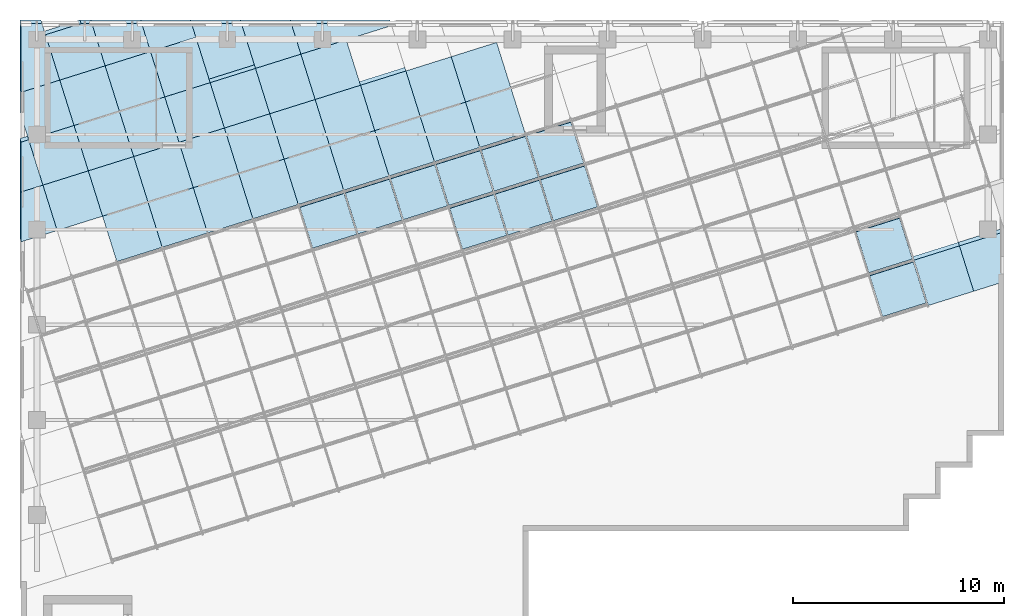
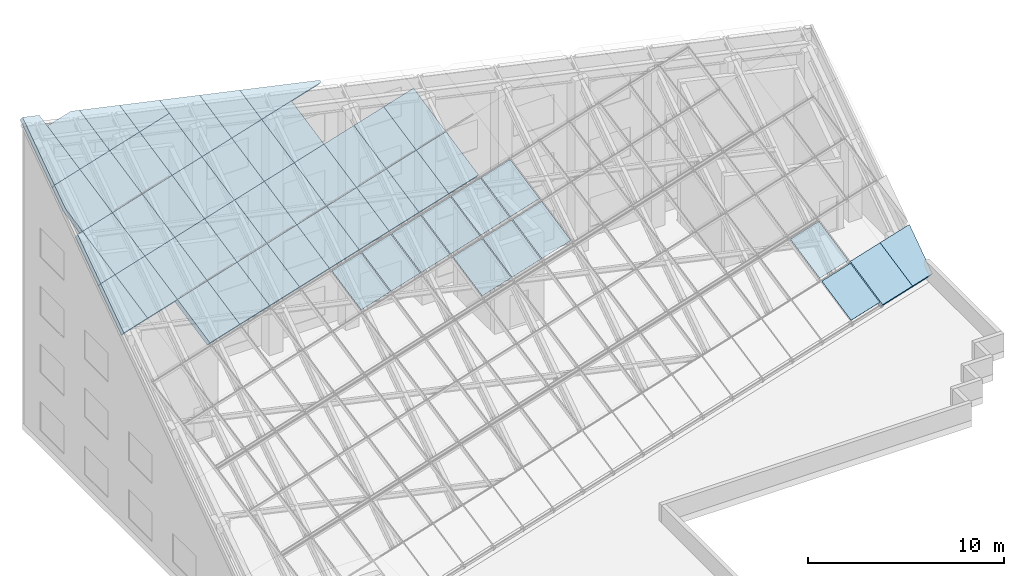
# One storey, part 8 of 14: 41 slabs, 11 plates, 2 elements without a shape of their own.
"""IFC4 building model written with IfcOpenShell, lengths in metres."""

from ifc_helpers import new_model, si_unit, direction, frame, origin, place, context, subcontext, project, spatial, polyline, outline, extrude, material, layer, layer_set, type_object, element, aggregate, save


model = new_model("IFC4")

# Units and contexts
model_context = context("Model", 3, precision=1e-05, world=origin(), true_north=direction((0.0, 1.0)))
body_context = subcontext(model_context, "Body", "Model", "MODEL_VIEW")
ifc_project = project(units=[si_unit("LENGTHUNIT", "METRE"), si_unit("AREAUNIT", "SQUARE_METRE"), si_unit("VOLUMEUNIT", "CUBIC_METRE"), si_unit("PLANEANGLEUNIT", "RADIAN"), si_unit("MASSUNIT", "GRAM", prefix="KILO")], contexts=[model_context])

# Site, building, storey
site_placement = place(None, origin())
site = spatial("IfcSite", under=ifc_project, at=site_placement, CompositionType="ELEMENT")
building_placement = place(site_placement, origin())
building = spatial("IfcBuilding", under=site, at=building_placement, Name="Firuza Court", CompositionType="ELEMENT")
storey_placement = place(building_placement, frame((0.0, 0.0, 266.199951171875)))
storey = spatial("IfcBuildingStorey", under=building, at=storey_placement, Name="L68 Crown", CompositionType="ELEMENT", Elevation=266.199951171875)

# Slabs
ifc_material_1 = material(Name="Ceramic tile", Category="ceramic")
ifc_layer_1 = layer(ifc_material_1, 0.02001953125)
ifc_material_2 = material(Name="Mineral wool insulation", Category="insulation")
ifc_layer_2 = layer(ifc_material_2, 0.159912109375)
ifc_material_3 = material(Name="Concrete C40/50 precast", Category="concrete")
ifc_layer_3 = layer(ifc_material_3, 0.1201171875)
ifc_layer_set_1 = layer_set([ifc_layer_1, ifc_layer_2, ifc_layer_3], Name="Concrete C40/50 precast")
slab_type = type_object("IfcSlabType", Name="Crown roof panel 300", PredefinedType="ROOF", material=ifc_layer_set_1)
slab_1_placement = place(storey_placement, frame((44.31640625, 46.585205078125, 0.400146484375), z_axis=(0.176292539195, -0.560681379041, 0.809047175275), x_axis=(-0.242742784588, 0.771772812588, 0.587743707989)))
element("IfcSlab", 1, at=slab_1_placement, inside=storey, type_object=slab_type, Name="Crown roof panel", PredefinedType="ROOF", context=body_context, shape_type="SweptSolid", body=[
    extrude(outline(polyline([(0.0, 0.0), (2.780952812459037, -4.298861613905025e-17), (2.780846740316045, -2.2104425959020033), (-0.0001691941072728409, -1.5027663528723343), (0.0, 0.0)])), origin(), (0.0, 0.0, -1.0), 0.300048828125),
])
slab_2_placement = place(storey_placement, frame((42.169921875, 45.91015625, 0.400146484375), z_axis=(0.176329325119, -0.560682613544, 0.809038303155), x_axis=(-0.242740123106, 0.771764348002, 0.587755921951)))
element("IfcSlab", 2, at=slab_2_placement, inside=storey, type_object=slab_type, Name="Crown roof panel", PredefinedType="ROOF", context=body_context, shape_type="SweptSolid", body=[
    extrude(outline(polyline([(0.0, 0.0), (2.7809528127759457, -3.12589038854727e-17), (2.7808935500505783, -2.2501302382217805), (-5.9262725367603686e-05, -2.2501302382217805), (0.0, 0.0)])), origin(), (0.0, 0.0, -1.0), 0.300048828125),
])
slab_3_placement = place(storey_placement, frame((20.94921875, 53.388671875, 10.208251953125), z_axis=(0.176352869413, -0.560693698013, 0.809025489375), x_axis=(-0.242711154741, 0.771760026214, 0.587773559546)))
element("IfcSlab", 3, at=slab_3_placement, inside=storey, type_object=slab_type, Name="Crown roof panel", PredefinedType="ROOF", context=body_context, shape_type="SweptSolid", body=[
    extrude(outline(polyline([(0.0, 0.0), (2.781284728529914, 8.977193988179977e-17), (2.7813439841829273, -2.2498973444341326), (5.925565301301283e-05, -2.249897344434132), (0.0, 0.0)])), origin(), (0.0, 0.0, -1.0), 0.300048828125),
])
slab_4_placement = place(storey_placement, frame((20.274169921875, 55.53515625, 11.843017578125), z_axis=(0.176357568193, -0.560740528308, 0.808992007411), x_axis=(-0.242726232782, 0.771720185063, 0.58781964231)))
element("IfcSlab", 4, at=slab_4_placement, inside=storey, type_object=slab_type, Name="Crown roof panel", PredefinedType="ROOF", context=body_context, shape_type="SweptSolid", body=[
    extrude(outline(polyline([(0.0, 0.0), (2.7810963148048606, 1.6528662119541515e-16), (2.7810370553040404, -2.2501302381188815), (-1.6664492008544585e-10, -2.249897345111447), (0.0, 0.0)])), origin(), (0.0, 0.0, -1.0), 0.300048828125),
])
slab_5_placement = place(storey_placement, frame((18.802734375, 52.7138671875, 10.208251953125), z_axis=(0.176311571006, -0.560727557347, 0.809011023634), x_axis=(-0.242731937374, 0.771738326472, 0.587793468858)))
element("IfcSlab", 5, at=slab_5_placement, inside=storey, type_object=slab_type, Name="Crown roof panel", PredefinedType="ROOF", context=body_context, shape_type="SweptSolid", body=[
    extrude(outline(polyline([(0.0, 0.0), (2.7810963140458616, 5.767955557622884e-17), (2.781037056063023, -2.25013023718082), (-0.00024767066019970585, -2.250056993137108), (0.0, 0.0)])), origin(), (0.0, 0.0, -1.0), 0.300048828125),
])
slab_6_placement = place(storey_placement, frame((18.127685546875, 54.860107421875, 11.843017578125), z_axis=(0.176322574119, -0.560730660289, 0.809006474923), x_axis=(-0.242625568414, 0.771767005686, 0.587799729913)))
element("IfcSlab", 6, at=slab_6_placement, inside=storey, type_object=slab_type, Name="Crown roof panel", PredefinedType="ROOF", context=body_context, shape_type="SweptSolid", body=[
    extrude(outline(polyline([(0.0, 0.0), (2.7812254825653415, -6.499792024050599e-17), (2.781284718841267, -2.249824105171592), (0.00018842119713480265, -2.2501302306239057), (0.0, 0.0)])), origin(), (0.0, 0.0, -1.0), 0.300048828125),
])
slab_7_placement = place(storey_placement, frame((16.656494140625, 52.038818359375, 10.208251953125), z_axis=(0.176329821958, -0.560721817629, 0.809011024104), x_axis=(-0.242706815333, 0.77174622707, 0.587793469506)))
element("IfcSlab", 7, at=slab_7_placement, inside=storey, type_object=slab_type, Name="Crown roof panel", PredefinedType="ROOF", context=body_context, shape_type="SweptSolid", body=[
    extrude(outline(polyline([(0.0, 0.0), (2.7812847276876664, 8.229094489164979e-17), (2.781155567049985, -2.249824101692063), (5.9253968536565615e-05, -2.249897343393004), (0.0, 0.0)])), origin(), (0.0, 0.0, -1.0), 0.300048828125),
])
slab_8_placement = place(storey_placement, frame((15.9814453125, 54.185302734375, 11.843017578125), z_axis=(0.176322574119, -0.560730660289, 0.809006474923), x_axis=(-0.242730573016, 0.771733986836, 0.587799729913)))
element("IfcSlab", 8, at=slab_8_placement, inside=storey, type_object=slab_type, Name="Crown roof panel", PredefinedType="ROOF", context=body_context, shape_type="SweptSolid", body=[
    extrude(outline(polyline([(0.0, 0.0), (2.7810963144923067, -6.7166324585477e-17), (2.7810370556165873, -2.250130237732591), (-0.00018841009979719825, -2.249824098062274), (0.0, 0.0)])), origin(), (0.0, 0.0, -1.0), 0.300048828125),
])
slab_9_placement = place(storey_placement, frame((14.510009765625, 51.36376953125, 10.208251953125), z_axis=(0.176334616413, -0.56069943852, 0.809025489523), x_axis=(-0.242711154741, 0.771760026214, 0.587773559546)))
element("IfcSlab", 9, at=slab_9_placement, inside=storey, type_object=slab_type, Name="Crown roof panel", PredefinedType="ROOF", context=body_context, shape_type="SweptSolid", body=[
    extrude(outline(polyline([(0.0, 0.0), (2.781284728529914, 1.1102230246251565e-16), (2.781284728529914, -2.2501302390021958), (0.0, -2.2501302390021958), (0.0, 0.0)])), origin(), (0.0, 0.0, -1.0), 0.300048828125),
])
slab_10_placement = place(storey_placement, frame((13.8349609375, 53.51025390625, 11.843017578125), z_axis=(0.176357568193, -0.560740528308, 0.808992007411), x_axis=(-0.242646346778, 0.771745307838, 0.587819640897)))
element("IfcSlab", 10, at=slab_10_placement, inside=storey, type_object=slab_type, Name="Crown roof panel", PredefinedType="ROOF", context=body_context, shape_type="SweptSolid", body=[
    extrude(outline(polyline([(0.0, 0.0), (2.781037065222291, 2.336455681706262e-17), (2.7812254787109962, -2.249897337222277), (0.00012917365794862246, -2.250130235191463), (0.0, 0.0)])), origin(), (0.0, 0.0, -1.0), 0.300048828125),
])
slab_11_placement = place(storey_placement, frame((12.363525390625, 50.68896484375, 10.208251953125), z_axis=(0.176322574119, -0.560730660289, 0.809006474923), x_axis=(-0.242650686114, 0.771759108324, 0.587799730561)))
element("IfcSlab", 11, at=slab_11_placement, inside=storey, type_object=slab_type, Name="Crown roof panel", PredefinedType="ROOF", context=body_context, shape_type="SweptSolid", body=[
    extrude(outline(polyline([(0.0, 0.0), (2.7810370638502198, 6.385950795939621e-17), (2.7812254800831604, -2.249897335526067), (-5.924240827959171e-05, -2.2500570052304085), (0.0, 0.0)])), origin(), (0.0, 0.0, -1.0), 0.300048828125),
])
for number, where, z_axis, x_axis, name in (
    (12, (11.688720703125, 52.835205078125, 11.843017578125), (0.176322574119, -0.560730660289, 0.809006474923), (-0.242705450975, 0.771741887433, 0.587799730561), "Crown roof panel"),
    (13, (10.21728515625, 50.013916015625, 10.208251953125), (0.176322574119, -0.560730660289, 0.809006474923), (-0.242705450975, 0.771741887433, 0.587799730561), "Crown roof panel"),
):
    element("IfcSlab", number, at=place(storey_placement, frame(where, z_axis=z_axis, x_axis=x_axis)), inside=storey, type_object=slab_type, Name=name, PredefinedType="ROOF", context=body_context, shape_type="SweptSolid", body=[
        extrude(outline(polyline([(0.0, 0.0), (2.781284727074648, 1.1367859778510514e-16), (2.7810963120099315, -2.2500569981215723), (5.925274251195045e-05, -2.2498973426352338), (0.0, 0.0)])), origin(), (0.0, 0.0, -1.0), 0.300048828125),
    ])
slab_12_placement = place(storey_placement, frame((9.542236328125, 52.160400390625, 11.843017578125), z_axis=(0.176311571006, -0.560727557347, 0.809011023634), x_axis=(-0.242731937374, 0.771738326472, 0.587793468858)))
element("IfcSlab", 14, at=slab_12_placement, inside=storey, type_object=slab_type, Name="Crown roof panel", PredefinedType="ROOF", context=body_context, shape_type="SweptSolid", body=[
    extrude(outline(polyline([(0.0, 0.0), (2.7810963140458616, 5.767955557622884e-17), (2.781037056063023, -2.25013023718082), (-0.00024767066019970585, -2.250056993137108), (0.0, 0.0)])), origin(), (0.0, 0.0, -1.0), 0.300048828125),
])
slab_13_placement = place(storey_placement, frame((8.07080078125, 49.339111328125, 10.208251953125), z_axis=(0.176322574119, -0.560730660289, 0.809006474923), x_axis=(-0.242650686114, 0.771759108324, 0.587799730561)))
element("IfcSlab", 15, at=slab_13_placement, inside=storey, type_object=slab_type, Name="Crown roof panel", PredefinedType="ROOF", context=body_context, shape_type="SweptSolid", body=[
    extrude(outline(polyline([(0.0, 0.0), (2.7810370638502198, 6.385950795939621e-17), (2.7812254800831604, -2.249897335526067), (-5.924240827959171e-05, -2.2500570052304085), (0.0, 0.0)])), origin(), (0.0, 0.0, -1.0), 0.300048828125),
])
slab_14_placement = place(storey_placement, frame((7.39599609375, 51.4853515625, 11.843017578125), z_axis=(0.176364816901, -0.560731683681, 0.808996557642), x_axis=(-0.24272759793, 0.771724525643, 0.587813380014)))
element("IfcSlab", 16, at=slab_14_placement, inside=storey, type_object=slab_type, Name="Crown roof panel", PredefinedType="ROOF", context=body_context, shape_type="SweptSolid", body=[
    extrude(outline(polyline([(0.0, 0.0), (2.781096314888183, 0.0), (2.7810963148881833, -2.2498973452144417), (0.0, -2.2498973452144417), (0.0, 0.0)])), origin(), (0.0, 0.0, -1.0), 0.300048828125),
])
slab_15_placement = place(storey_placement, frame((5.924560546875, 48.6640625, 10.208251953125), z_axis=(0.176357568193, -0.560740528308, 0.808992007411), x_axis=(-0.242726232782, 0.771720185063, 0.58781964231)))
element("IfcSlab", 17, at=slab_15_placement, inside=storey, type_object=slab_type, Name="Crown roof panel", PredefinedType="ROOF", context=body_context, shape_type="SweptSolid", body=[
    extrude(outline(polyline([(0.0, 0.0), (2.7810963148048606, 1.6528662119541515e-16), (2.7810370553040404, -2.2501302381188815), (-1.6664492008544585e-10, -2.249897345111447), (0.0, 0.0)])), origin(), (0.0, 0.0, -1.0), 0.300048828125),
])
for number, where, z_axis, x_axis, name in (
    (18, (5.24951171875, 50.810302734375, 11.843017578125), (0.176322574119, -0.560730660289, 0.809006474923), (-0.242625568414, 0.771767005686, 0.587799729913), "Crown roof panel"),
    (19, (3.778076171875, 47.989013671875, 10.208251953125), (0.176322574119, -0.560730660289, 0.809006474923), (-0.242625568414, 0.771767005686, 0.587799729913), "Crown roof panel"),
):
    element("IfcSlab", number, at=place(storey_placement, frame(where, z_axis=z_axis, x_axis=x_axis)), inside=storey, type_object=slab_type, Name=name, PredefinedType="ROOF", context=body_context, shape_type="SweptSolid", body=[
        extrude(outline(polyline([(0.0, 0.0), (2.7812254825653415, -6.499792024050599e-17), (2.781284718841267, -2.249824105171592), (0.00018842119713480265, -2.2501302306239057), (0.0, 0.0)])), origin(), (0.0, 0.0, -1.0), 0.300048828125),
    ])
slab_16_placement = place(storey_placement, frame((3.103271484375, 50.135498046875, 11.843017578125), z_axis=(0.176322574119, -0.560730660289, 0.809006474923), x_axis=(-0.242730573016, 0.771733986836, 0.587799729913)))
element("IfcSlab", 20, at=slab_16_placement, inside=storey, type_object=slab_type, Name="Crown roof panel", PredefinedType="ROOF", context=body_context, shape_type="SweptSolid", body=[
    extrude(outline(polyline([(0.0, 0.0), (2.7810963144923067, -6.7166324585477e-17), (2.7810370556165873, -2.250130237732591), (-0.00018841009979719825, -2.249824098062274), (0.0, 0.0)])), origin(), (0.0, 0.0, -1.0), 0.300048828125),
])
slab_17_placement = place(storey_placement, frame((0.956787109375, 49.46044921875, 11.843017578125), z_axis=(0.176346562788, -0.560737424965, 0.808996557494), x_axis=(-0.24272759793, 0.771724525643, 0.587813380014)))
element("IfcSlab", 21, at=slab_17_placement, inside=storey, type_object=slab_type, Name="Crown roof panel", PredefinedType="ROOF", context=body_context, shape_type="SweptSolid", body=[
    extrude(outline(polyline([(0.0, 0.0), (2.781096314888183, 3.599551212651875e-17), (2.78103705522072, -2.250130238221861), (-5.925966746334055e-05, -2.250130238221861), (0.0, 0.0)])), origin(), (0.0, 0.0, -1.0), 0.300048828125),
])
slab_18_placement = place(storey_placement, frame((-0.75, 48.923583984375, 11.843017578125), z_axis=(0.17636090851, -0.560725711667, 0.809001548963), x_axis=(1.451269e-06, 0.821884261168, 0.569654510421)))
element("IfcSlab", 22, at=slab_18_placement, inside=storey, type_object=slab_type, Name="Crown roof panel", PredefinedType="ROOF", context=body_context, shape_type="SweptSolid", body=[
    extrude(outline(polyline([(0.0, 0.0), (2.86978282444301, 2.7755575615628914e-17), (3.1364552649109956, -1.0481630871799472), (0.4412435635090313, -1.7339696172982264), (0.0, 0.0)])), origin(), (0.0, 0.0, -1.0), 0.300048828125),
])
slab_19_placement = place(storey_placement, frame((13.16015625, 55.656494140625, 13.477783203125), z_axis=(0.176322574119, -0.560730660289, 0.809006474923), x_axis=(-0.242705450975, 0.771741887433, 0.587799730561)))
element("IfcSlab", 23, at=slab_19_placement, inside=storey, type_object=slab_type, Name="Crown roof panel", PredefinedType="ROOF", context=body_context, shape_type="SweptSolid", body=[
    extrude(outline(polyline([(0.0, 0.0), (2.781284727074648, 1.1367859778510514e-16), (2.7810963120099315, -2.2500569981215723), (5.925274251195045e-05, -2.2498973426352338), (0.0, 0.0)])), origin(), (0.0, 0.0, -1.0), 0.300048828125),
])
slab_20_placement = place(storey_placement, frame((12.030029296875, 59.25, 16.214599609375), z_axis=(0.17631555815, -0.560697389304, 0.809031063422), x_axis=(0.977065869347, -1.718011e-06, -0.212937284088)))
element("IfcSlab", 24, at=slab_20_placement, inside=storey, type_object=slab_type, Name="Crown roof panel", PredefinedType="ROOF", context=body_context, shape_type="SweptSolid", body=[
    extrude(outline(polyline([(0.0, 0.0), (4.828014070022466, 2.220446049250313e-16), (4.873583873370984, -0.11733956008838164), (0.6793114901096033, -1.7475752057454659), (0.0, 0.0)])), origin(), (0.0, 0.0, -1.0), 0.300048828125),
])
slab_21_placement = place(storey_placement, frame((11.013671875, 54.981689453125, 13.477783203125), z_axis=(0.176311571006, -0.560727557347, 0.809011023634), x_axis=(-0.242731937374, 0.771738326472, 0.587793468858)))
element("IfcSlab", 25, at=slab_21_placement, inside=storey, type_object=slab_type, Name="Crown roof panel", PredefinedType="ROOF", context=body_context, shape_type="SweptSolid", body=[
    extrude(outline(polyline([(0.0, 0.0), (2.7810963140458616, 5.767955557622884e-17), (2.781037056063023, -2.25013023718082), (-0.00024767066019970585, -2.250056993137108), (0.0, 0.0)])), origin(), (0.0, 0.0, -1.0), 0.300048828125),
])
slab_22_placement = place(storey_placement, frame((10.338623046875, 57.1279296875, 15.112548828125), z_axis=(0.176347631617, -0.560704948124, 0.809018834127), x_axis=(-0.242664641555, 0.771767676841, 0.587782718972)))
element("IfcSlab", 26, at=slab_22_placement, inside=storey, type_object=slab_type, Name="Crown roof panel", PredefinedType="ROOF", context=body_context, shape_type="SweptSolid", body=[
    extrude(outline(polyline([(0.0, 0.0), (2.7496407988447715, 2.612385134603823e-16), (1.8750671884411132, -2.2500392167733843), (0.00010500437472327206, -2.250130236421808), (0.0, 0.0)])), origin(), (0.0, 0.0, -1.0), 0.300048828125),
])
slab_23_placement = place(storey_placement, frame((8.8671875, 54.306640625, 13.477783203125), z_axis=(0.176357568193, -0.560740528308, 0.808992007411), x_axis=(-0.242646346778, 0.771745307838, 0.587819640897)))
element("IfcSlab", 27, at=slab_23_placement, inside=storey, type_object=slab_type, Name="Crown roof panel", PredefinedType="ROOF", context=body_context, shape_type="SweptSolid", body=[
    extrude(outline(polyline([(0.0, 0.0), (2.781037065222291, 2.336455681706262e-17), (2.7812254787109962, -2.249897337222277), (0.00012917365794862246, -2.250130235191463), (0.0, 0.0)])), origin(), (0.0, 0.0, -1.0), 0.300048828125),
])
slab_24_placement = place(storey_placement, frame((8.1923828125, 56.452880859375, 15.112548828125), z_axis=(0.176313594761, -0.560696531731, 0.809032085647), x_axis=(-0.242705959556, 0.77176857472, 0.587764480272)))
element("IfcSlab", 28, at=slab_24_placement, inside=storey, type_object=slab_type, Name="Crown roof panel", PredefinedType="ROOF", context=body_context, shape_type="SweptSolid", body=[
    extrude(outline(polyline([(0.0, 0.0), (3.624235161921329, 1.2730566384053232e-16), (2.7497169719197023, -2.250004980080016), (7.617642642832045e-05, -2.249897342273357), (0.0, 0.0)])), origin(), (0.0, 0.0, -1.0), 0.300048828125),
])
slab_25_placement = place(storey_placement, frame((6.720947265625, 53.631591796875, 13.477783203125), z_axis=(0.176322574119, -0.560730660289, 0.809006474923), x_axis=(-0.242705450975, 0.771741887433, 0.587799730561)))
element("IfcSlab", 29, at=slab_25_placement, inside=storey, type_object=slab_type, Name="Crown roof panel", PredefinedType="ROOF", context=body_context, shape_type="SweptSolid", body=[
    extrude(outline(polyline([(0.0, 0.0), (2.781284727074648, 1.1367859778510514e-16), (2.7810963120099315, -2.2500569981215723), (5.925274251195045e-05, -2.2498973426352338), (0.0, 0.0)])), origin(), (0.0, 0.0, -1.0), 0.300048828125),
])
slab_26_placement = place(storey_placement, frame((6.0458984375, 55.778076171875, 15.112548828125), z_axis=(0.176287581007, -0.56072079176, 0.809020940688), x_axis=(-0.242629907309, 0.771780804769, 0.58777982057)))
element("IfcSlab", 30, at=slab_26_placement, inside=storey, type_object=slab_type, Name="Crown roof panel", PredefinedType="ROOF", context=body_context, shape_type="SweptSolid", body=[
    extrude(outline(polyline([(0.0, 0.0), (2.7812254828779466, -6.862999751833243e-17), (2.7812847185286556, -2.2498241055580492), (-1.6650492096204061e-10, -2.2500570077062547), (0.0, 0.0)])), origin(), (0.0, 0.0, -1.0), 0.300048828125),
])
slab_27_placement = place(storey_placement, frame((4.57470703125, 52.956787109375, 13.477783203125), z_axis=(0.176329821958, -0.560721817629, 0.809011024104), x_axis=(-0.242731937779, 0.77173832619, 0.587793469062)))
element("IfcSlab", 31, at=slab_27_placement, inside=storey, type_object=slab_type, Name="Crown roof panel", PredefinedType="ROOF", context=body_context, shape_type="SweptSolid", body=[
    extrude(outline(polyline([(0.0, 0.0), (2.781096314045879, -4.6674903525500966e-17), (2.7810963157304873, -2.2498973441732697), (-0.00018841099268396277, -2.249824097510351), (0.0, 0.0)])), origin(), (0.0, 0.0, -1.0), 0.300048828125),
])
slab_28_placement = place(storey_placement, frame((3.899658203125, 55.10302734375, 15.112548828125), z_axis=(0.176345621074, -0.560702541655, 0.809020940217), x_axis=(-0.24270978987, 0.771755686517, 0.587779821218)))
element("IfcSlab", 32, at=slab_28_placement, inside=storey, type_object=slab_type, Name="Crown roof panel", PredefinedType="ROOF", context=body_context, shape_type="SweptSolid", body=[
    extrude(outline(polyline([(0.0, 0.0), (2.7812847284466087, -6.413055850251759e-17), (2.78128472861322, -2.250130238899225), (5.9255486403619884e-05, -2.249897344331155), (0.0, 0.0)])), origin(), (0.0, 0.0, -1.0), 0.300048828125),
])
slab_29_placement = place(storey_placement, frame((2.42822265625, 52.28173828125, 13.477783203125), z_axis=(0.176311571006, -0.560727557347, 0.809011023634), x_axis=(-0.242706815738, 0.771746226788, 0.58779346971)))
element("IfcSlab", 33, at=slab_29_placement, inside=storey, type_object=slab_type, Name="Crown roof panel", PredefinedType="ROOF", context=body_context, shape_type="SweptSolid", body=[
    extrude(outline(polyline([(0.0, 0.0), (2.781284727687649, 2.3006770100142404e-16), (2.781096311396971, -2.2500569988791974), (-1.6845287387212693e-09, -2.2501302379611103), (0.0, 0.0)])), origin(), (0.0, 0.0, -1.0), 0.300048828125),
])
slab_30_placement = place(storey_placement, frame((1.753173828125, 54.42822265625, 15.112548828125), z_axis=(0.176322574119, -0.560730660289, 0.809006474923), x_axis=(-0.242650686114, 0.771759108324, 0.587799730561)))
element("IfcSlab", 34, at=slab_30_placement, inside=storey, type_object=slab_type, Name="Crown roof panel", PredefinedType="ROOF", context=body_context, shape_type="SweptSolid", body=[
    extrude(outline(polyline([(0.0, 0.0), (2.7810370638502198, 6.385950795939621e-17), (2.7812254800831604, -2.249897335526067), (-5.924240827959171e-05, -2.2500570052304085), (0.0, 0.0)])), origin(), (0.0, 0.0, -1.0), 0.300048828125),
])
slab_31_placement = place(storey_placement, frame((0.28173828125, 51.606689453125, 13.477783203125), z_axis=(0.176345621074, -0.560702541655, 0.809020940217), x_axis=(-0.242629908208, 0.771780806056, 0.587779818509)))
element("IfcSlab", 35, at=slab_31_placement, inside=storey, type_object=slab_type, Name="Crown roof panel", PredefinedType="ROOF", context=body_context, shape_type="SweptSolid", body=[
    extrude(outline(polyline([(0.0, 0.0), (2.7812254828778915, 7.377995783763858e-17), (2.781473140517539, -2.2498973314809922), (0.0001884218222141243, -2.2501302310101745), (0.0, 0.0)])), origin(), (0.0, 0.0, -1.0), 0.300048828125),
])
slab_32_placement = place(storey_placement, frame((-0.39306640625, 53.753173828125, 15.112548828125), z_axis=(0.176338122027, -0.560740554476, 0.808996228227), x_axis=(-0.242739909546, 0.771720308482, 0.587813832595)))
element("IfcSlab", 36, at=slab_32_placement, inside=storey, type_object=slab_type, Name="Crown roof panel", PredefinedType="ROOF", context=body_context, shape_type="SweptSolid", body=[
    extrude(outline(polyline([(0.0, 0.0), (1.4703864035563867, -1.9000643072808465e-17), (2.7811244455947466, -0.33352807199627027), (2.7810077815051684, -2.250166418335343), (-2.9270473997589086e-05, -2.2498973441340917), (0.0, 0.0)])), origin(), (0.0, 0.0, -1.0), 0.300048828125),
])
slab_33_placement = place(storey_placement, frame((-0.75, 51.2822265625, 13.477783203125), z_axis=(0.17625780855, -0.560712760087, 0.809032994136), x_axis=(4.824363e-06, 0.821901131476, 0.569630169544)))
element("IfcSlab", 37, at=slab_33_placement, inside=storey, type_object=slab_type, Name="Crown roof panel", PredefinedType="ROOF", context=body_context, shape_type="SweptSolid", body=[
    extrude(outline(polyline([(0.0, 0.0), (2.869983483298462, 2.7755575615628914e-17), (2.962087895546266, -0.3625960942796981), (0.2666813944072246, -1.0481608064107548), (0.0, 0.0)])), origin(), (0.0, 0.0, -1.0), 0.300048828125),
])
slab_34_placement = place(storey_placement, frame((5.37109375, 57.924560546875, 16.747314453125), z_axis=(0.176324818681, -0.56066887332, 0.809048807432), x_axis=(-0.242799820161, 0.771756582533, 0.587741460717)))
element("IfcSlab", 38, at=slab_34_placement, inside=storey, type_object=slab_type, Name="Crown roof panel", PredefinedType="ROOF", context=body_context, shape_type="SweptSolid", body=[
    extrude(outline(polyline([(0.0, 0.0), (1.7174998826843315, 9.169639873796154e-17), (0.8426286476143324, -2.2499235077966366), (-0.0003217834261739494, -2.2498240814888417), (0.0, 0.0)])), origin(), (0.0, 0.0, -1.0), 0.300048828125),
])
slab_35_placement = place(storey_placement, frame((3.224609375, 57.24951171875, 16.747314453125), z_axis=(0.176313632426, -0.56069707707, 0.809031699493), x_axis=(-0.242632899409, 0.771791142764, 0.587765010932)))
element("IfcSlab", 39, at=slab_35_placement, inside=storey, type_object=slab_type, Name="Crown roof panel", PredefinedType="ROOF", context=body_context, shape_type="SweptSolid", body=[
    extrude(outline(polyline([(0.0, 0.0), (2.5919757424069747, 2.6454533008646308e-17), (1.7176888390135021, -2.2498389430768744), (0.00018897903828618556, -2.25013023064695), (0.0, 0.0)])), origin(), (0.0, 0.0, -1.0), 0.300048828125),
])
slab_36_placement = place(storey_placement, frame((1.078369140625, 56.574462890625, 16.747314453125), z_axis=(0.176314132616, -0.560657822219, 0.809058794541), x_axis=(-0.242721146493, 0.77179179712, 0.587727714969)))
element("IfcSlab", 40, at=slab_36_placement, inside=storey, type_object=slab_type, Name="Crown roof panel", PredefinedType="ROOF", context=body_context, shape_type="SweptSolid", body=[
    extrude(outline(polyline([(0.0, 0.0), (2.7811412358529672, -5.4508264221708735e-17), (2.781112281720361, -1.7635974210938832), (2.5920349903785986, -2.2501150345144785), (5.9257864526096604e-05, -2.2498973436625644), (0.0, 0.0)])), origin(), (0.0, 0.0, -1.0), 0.300048828125),
])
slab_37_placement = place(storey_placement, frame((-0.75, 55.99951171875, 16.747314453125), z_axis=(0.17632233331, -0.560683291654, 0.809039357038), x_axis=(-7.48908e-07, 0.821916676285, 0.569607739803)))
element("IfcSlab", 41, at=slab_37_placement, inside=storey, type_object=slab_type, Name="Crown roof panel", PredefinedType="ROOF", context=body_context, shape_type="SweptSolid", body=[
    extrude(outline(polyline([(0.0, 0.0), (3.9547776472718335, 5.551115123125783e-17), (3.832261180999486, -1.0025263764847583), (0.47256058693406233, -1.8574684535207096), (0.0, 0.0)])), origin(), (0.0, 0.0, -1.0), 0.300048828125),
])

# Curtain wall, plates
ifc_material_4 = material(Name="Aluminium curtain wall, triple clear glazing", Category="aluminium")
curtain_wall_type = type_object("IfcCurtainWallType", Name="Crown sloped structural glazing CW5", PredefinedType="NOTDEFINED", material=ifc_material_4)
curtain_wall_1_placement = place(storey_placement, origin())
curtain_wall_1 = element("IfcCurtainWall", 42, at=curtain_wall_1_placement, inside=storey, type_object=curtain_wall_type, Name="Crown sloped structural glazing CW5 1.1", PredefinedType="NOTDEFINED")
ifc_material_5 = material(Name="Triple clear glazing", Category="glass")
ifc_layer_4 = layer(ifc_material_5, 0.031982421875)
ifc_layer_set_2 = layer_set([ifc_layer_4], Name="Triple clear glazing")
plate_type = type_object("IfcPlateType", Name="Glazed panel 32 CW5", PredefinedType="CURTAIN_PANEL", material=ifc_layer_set_2)
plate_1_placement = place(storey_placement, frame((42.067626953125, 46.03515625, 0.509033203125), z_axis=(0.176308290618, -0.560678964889, 0.809045415901), x_axis=(-0.953947520719, -0.299973545022, 0.0)))
plate_1 = element("IfcPlate", 43, at=plate_1_placement, type_object=plate_type, Name="CW5 panel 1.1", PredefinedType="CURTAIN_PANEL", context=body_context, shape_type="SweptSolid", body=[
    extrude(outline(polyline([(0.0, 0.0), (2.1600212068752938, 0.0), (2.1599554768429208, -2.503106915692155), (-6.573003237331232e-05, -2.503106915692155), (0.0, 0.0)])), origin(), (0.0, 0.0, -1.0), 0.031982421875),
])
plate_2_placement = place(storey_placement, frame((41.415283203125, 48.110107421875, 2.08935546875), z_axis=(0.176328982197, -0.560711546817, 0.809018325691), x_axis=(-0.953945763655, -0.299979132508, 8.061839e-06)))
plate_2 = element("IfcPlate", 44, at=plate_2_placement, type_object=plate_type, Name="CW5 panel 2.1", PredefinedType="CURTAIN_PANEL", context=body_context, shape_type="SweptSolid", body=[
    extrude(outline(polyline([(0.0, 0.0), (2.1600212067680484, 0.0), (2.160028712678932, -2.5029184948142267), (0.0002404028258383888, -2.5029777438608964), (0.0, 0.0)])), origin(), (0.0, 0.0, -1.0), 0.031982421875),
])
aggregate(curtain_wall_1, [plate_1, plate_2])

curtain_wall_2_placement = place(storey_placement, origin())
curtain_wall_2 = element("IfcCurtainWall", 45, at=curtain_wall_2_placement, inside=storey, type_object=curtain_wall_type, Name="Crown sloped structural glazing CW5 3.1", PredefinedType="NOTDEFINED")
plate_3_placement = place(storey_placement, frame((26.518310546875, 50.580078125, 7.0478515625), z_axis=(0.176329837796, -0.560703984399, 0.809023380491), x_axis=(-0.953940860537, -0.299994724285, 0.0)))
plate_3 = element("IfcPlate", 46, at=plate_3_placement, type_object=plate_type, Name="CW5 panel 1.7", PredefinedType="CURTAIN_PANEL", context=body_context, shape_type="SweptSolid", body=[
    extrude(outline(polyline([(0.0, 0.0), (2.189979918618649, -1.1102230246251565e-16), (2.1901753637688497, -2.5029777478677273), (0.00019544515020120112, -2.5029777478677273), (0.0, 0.0)])), origin(), (0.0, 0.0, -1.0), 0.031982421875),
])
plate_4_placement = place(storey_placement, frame((24.371826171875, 49.905029296875, 7.0478515625), z_axis=(0.17635718883, -0.560686778681, 0.809029343201), x_axis=(-0.95393534933, -0.300012247516, 2.5284508e-05)))
plate_4 = element("IfcPlate", 47, at=plate_4_placement, type_object=plate_type, Name="CW5 panel 1.8", PredefinedType="CURTAIN_PANEL", context=body_context, shape_type="SweptSolid", body=[
    extrude(outline(polyline([(0.0, 0.0), (2.1899799175491244, -1.1102230246251565e-16), (2.1899424691204508, -2.5029184937020825), (-0.00011069360628924147, -2.503106913171865), (0.0, 0.0)])), origin(), (0.0, 0.0, -1.0), 0.031982421875),
])
plate_5_placement = place(storey_placement, frame((22.225341796875, 49.22998046875, 7.0478515625), z_axis=(0.176320738759, -0.560675050747, 0.809045415631), x_axis=(-0.953940860537, -0.299994724285, 0.0)))
plate_5 = element("IfcPlate", 48, at=plate_5_placement, type_object=plate_type, Name="CW5 panel 1.9", PredefinedType="CURTAIN_PANEL", context=body_context, shape_type="SweptSolid", body=[
    extrude(outline(polyline([(0.0, 0.0), (2.189979918618649, 0.0), (2.1898692271514615, -2.503106914107691), (-0.00011069146718678535, -2.5031069141076916), (0.0, 0.0)])), origin(), (0.0, 0.0, -1.0), 0.031982421875),
])
plate_6_placement = place(storey_placement, frame((25.86572265625, 52.65478515625, 8.628173828125), z_axis=(0.176297560559, -0.560705528974, 0.809029344288), x_axis=(-0.953946370996, -0.299977200175, -2.5285354e-05)))
plate_6 = element("IfcPlate", 49, at=plate_6_placement, type_object=plate_type, Name="CW5 panel 2.7", PredefinedType="CURTAIN_PANEL", context=body_context, shape_type="SweptSolid", body=[
    extrude(outline(polyline([(0.0, 0.0), (2.189979917549053, -1.1102230246251565e-16), (2.1898692282210037, -2.503106913171992), (-3.7452706913041525e-05, -2.502918493701956), (0.0, 0.0)])), origin(), (0.0, 0.0, -1.0), 0.031982421875),
])
plate_7_placement = place(storey_placement, frame((23.719482421875, 51.979736328125, 8.628173828125), z_axis=(0.176286100332, -0.560701841142, 0.809034397396), x_axis=(-0.953975543832, -0.299884412176, 3.32327e-05)))
plate_7 = element("IfcPlate", 50, at=plate_7_placement, type_object=plate_type, Name="CW5 panel 2.8", PredefinedType="CURTAIN_PANEL", context=body_context, shape_type="SweptSolid", body=[
    extrude(outline(polyline([(0.0, 0.0), (2.190139592985149, 0.0), (2.190385184823112, -2.502918481252201), (0.00040528205565253567, -2.5031661382489676), (0.0, 0.0)])), origin(), (0.0, 0.0, -1.0), 0.031982421875),
])
plate_8_placement = place(storey_placement, frame((21.572998046875, 51.304931640625, 8.628173828125), z_axis=(0.176334012168, -0.560717258312, 0.809013270833), x_axis=(-0.953940860537, -0.299994724285, 0.0)))
plate_8 = element("IfcPlate", 51, at=plate_8_placement, type_object=plate_type, Name="CW5 panel 2.9", PredefinedType="CURTAIN_PANEL", context=body_context, shape_type="SweptSolid", body=[
    extrude(outline(polyline([(0.0, 0.0), (2.189979918618649, -1.1102230246251565e-16), (2.189942468050945, -2.502918494637853), (-3.7450567703245235e-05, -2.502918494637853), (0.0, 0.0)])), origin(), (0.0, 0.0, -1.0), 0.031982421875),
])
plate_9_placement = place(storey_placement, frame((19.426513671875, 50.6298828125, 8.628173828125), z_axis=(0.176320738759, -0.560675050747, 0.809045415631), x_axis=(-0.953940860537, -0.299994724285, 0.0)))
plate_9 = element("IfcPlate", 52, at=plate_9_placement, type_object=plate_type, Name="CW5 panel 2.10", PredefinedType="CURTAIN_PANEL", context=body_context, shape_type="SweptSolid", body=[
    extrude(outline(polyline([(0.0, 0.0), (2.189979918618649, 0.0), (2.1898692271514615, -2.503106914107691), (-0.00011069146718678535, -2.5031069141076916), (0.0, 0.0)])), origin(), (0.0, 0.0, -1.0), 0.031982421875),
])
plate_10_placement = place(storey_placement, frame((17.2802734375, 49.955078125, 8.628173828125), z_axis=(0.176322549427, -0.560713569944, 0.80901832553), x_axis=(-0.953942593531, -0.299989213446, -7.951263e-06)))
plate_10 = element("IfcPlate", 53, at=plate_10_placement, type_object=plate_type, Name="CW5 panel 2.11", PredefinedType="CURTAIN_PANEL", context=body_context, shape_type="SweptSolid", body=[
    extrude(outline(polyline([(0.0, 0.0), (2.189979918512878, -1.1102230246251565e-16), (2.19017536387463, -2.5029777477751662), (-3.745077924669999e-05, -2.5029184945453027), (0.0, 0.0)])), origin(), (0.0, 0.0, -1.0), 0.031982421875),
])
plate_11_placement = place(storey_placement, frame((15.1337890625, 49.280029296875, 8.628173828125), z_axis=(0.176334012168, -0.560717258312, 0.809013270833), x_axis=(-0.953940860537, -0.299994724285, 0.0)))
plate_11 = element("IfcPlate", 54, at=plate_11_placement, type_object=plate_type, Name="CW5 panel 2.12", PredefinedType="CURTAIN_PANEL", context=body_context, shape_type="SweptSolid", body=[
    extrude(outline(polyline([(0.0, 0.0), (2.189979918618649, -1.1102230246251565e-16), (2.189942468050945, -2.502918494637853), (-3.7450567703245235e-05, -2.502918494637853), (0.0, 0.0)])), origin(), (0.0, 0.0, -1.0), 0.031982421875),
])
aggregate(curtain_wall_2, [plate_3, plate_4, plate_5, plate_6, plate_7, plate_8, plate_9, plate_10, plate_11])

save(model, "model.ifc")
